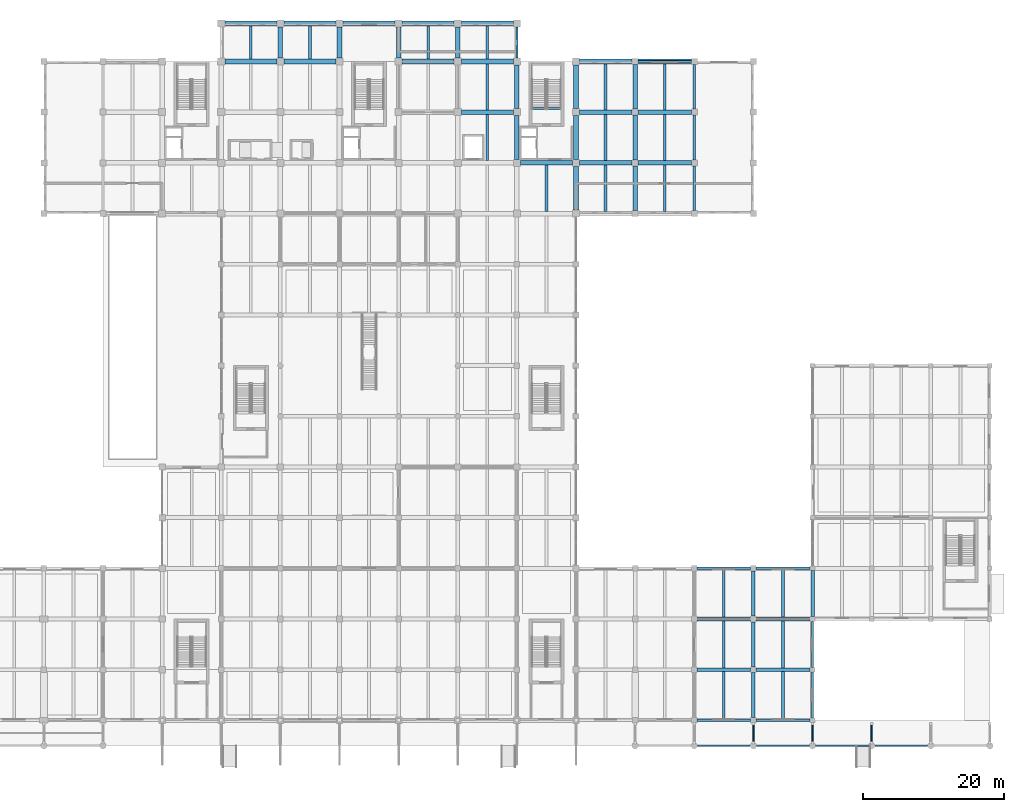
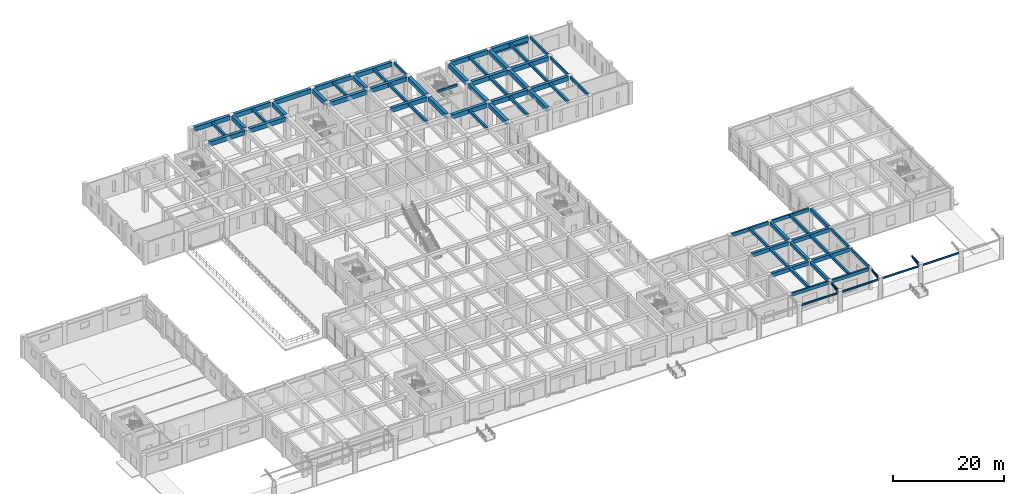
# One storey, part 15 of 49: 75 beams, 3 members.
"""IFC4 building model written with IfcOpenShell, lengths in metres."""

import ifcopenshell
import ifcopenshell.guid

model = None  # the IFC model being written
_history = None  # IfcOwnerHistory: only IFC2X3 demands one
_inside = {}  # id of a spatial element -> (the spatial element, [elements in it])
_under = {}  # id of a project, library or spatial element -> (it, [spatial elements below it])
_declared = {}  # id of a project -> (the project, [libraries it declares])
_typed = {}  # id of a type object -> (the type object, [elements of that type])
_made_of = {}  # id of a material, layer set ... -> (it, [elements and type objects made of it])


def new_model(schema):
    """Start an empty IFC model of exactly this schema.

    Asked for "IFC4X3", IfcOpenShell would pick the latest addendum, in which some entities
    have other attributes; the version numbers below select the first issue.
    IFC2X3 requires an IfcOwnerHistory on every rooted entity: one is made here for all.
    """
    global model, _history
    if schema == "IFC4X3":
        model = ifcopenshell.file(schema_version=(4, 3, 0, 0))
    else:
        model = ifcopenshell.file(schema=schema)
    _inside.clear()
    _under.clear()
    _declared.clear()
    _typed.clear()
    _made_of.clear()
    _history = None
    if model.schema == "IFC2X3":
        org = make("IfcOrganization", Name="unknown")
        user = make(
            "IfcPersonAndOrganization",
            ThePerson=make("IfcPerson", FamilyName="unknown"),
            TheOrganization=org,
        )
        app = make(
            "IfcApplication",
            ApplicationDeveloper=org,
            Version="unknown",
            ApplicationFullName="unknown",
            ApplicationIdentifier="unknown",
        )
        _history = make(
            "IfcOwnerHistory",
            OwningUser=user,
            OwningApplication=app,
            ChangeAction="ADDED",
            CreationDate=0,
        )
    return model


def make(cls, **values):
    """One entity of the class cls with the attributes given. An attribute that is None is left unset."""
    return model.create_entity(
        cls, **{name: value for name, value in values.items() if value is not None}
    )


def rooted(cls, **values):
    """An entity with a GlobalId (a new one), such as an element, a storey or a relation."""
    return make(cls, GlobalId=ifcopenshell.guid.new(), OwnerHistory=_history, **values)


def si_unit(unit_type, name, prefix=None):
    """IfcSIUnit, for example si_unit("LENGTHUNIT", "METRE", prefix="MILLI")."""
    return make("IfcSIUnit", UnitType=unit_type, Prefix=prefix, Name=name)


def assignment(units):
    """IfcUnitAssignment: the units of a project."""
    return None if units is None else make("IfcUnitAssignment", Units=units)


def point(xyz):
    """IfcCartesianPoint."""
    return None if xyz is None else make("IfcCartesianPoint", Coordinates=xyz)


def direction(xyz):
    """IfcDirection."""
    return None if xyz is None else make("IfcDirection", DirectionRatios=xyz)


def frame(location, z_axis=None, x_axis=None):
    """IfcAxis2Placement3D, a coordinate frame: its origin and axes. An axis left out is left unset."""
    return make(
        "IfcAxis2Placement3D",
        Location=point(location),
        Axis=direction(z_axis),
        RefDirection=direction(x_axis),
    )


def frame_2d(location, x_axis=None):
    """IfcAxis2Placement2D, a coordinate frame in the plane: its origin and x axis."""
    return make(
        "IfcAxis2Placement2D", Location=point(location), RefDirection=direction(x_axis)
    )


def origin():
    """The frame at (0, 0, 0) with its axes left unset."""
    return frame((0.0, 0.0, 0.0))


def origin_2d():
    """The frame at (0, 0) in the plane with its x axis left unset."""
    return frame_2d((0.0, 0.0))


def place(relative_to, where):
    """IfcLocalPlacement: puts the frame where relative to a parent placement (None: the world)."""
    return make(
        "IfcLocalPlacement", PlacementRelTo=relative_to, RelativePlacement=where
    )


def context(
    kind, dimensions, precision=None, world=None, true_north=None, identifier=None
):
    """IfcGeometricRepresentationContext, for example the 3D "Model" context."""
    return make(
        "IfcGeometricRepresentationContext",
        ContextIdentifier=identifier,
        ContextType=kind,
        CoordinateSpaceDimension=dimensions,
        Precision=precision,
        WorldCoordinateSystem=world,
        TrueNorth=true_north,
    )


def subcontext(parent, identifier, kind, view, scale=None):
    """IfcGeometricRepresentationSubContext, for example "Body" below "Model"."""
    return make(
        "IfcGeometricRepresentationSubContext",
        ContextIdentifier=identifier,
        ContextType=kind,
        ParentContext=parent,
        TargetScale=scale,
        TargetView=view,
    )


def project(units=None, contexts=None):
    """IfcProject with its units and contexts."""
    return rooted(
        "IfcProject",
        Name="project",
        RepresentationContexts=contexts,
        UnitsInContext=assignment(units),
    )


def spatial(cls, under=None, at=None, **own):
    """A site, building, storey or space (cls), placed at a placement, below another one or the project."""
    s = rooted(cls, ObjectPlacement=at, **own)
    if under is not None:
        _under.setdefault(under.id(), (under, []))[1].append(s)
    return s


def profile(cls, at=None, kind="AREA", **sizes):
    """A parametric profile (cls). Its sizes go by their IFC names, for example OverallWidth=200.0."""
    return make(cls, ProfileType=kind, Position=at, **sizes)


def rectangle(**sizes):
    """IfcRectangleProfileDef."""
    return profile("IfcRectangleProfileDef", **sizes)


def i_section(**sizes):
    """IfcIShapeProfileDef."""
    return profile("IfcIShapeProfileDef", **sizes)


def extrude(swept, where, along, depth):
    """IfcExtrudedAreaSolid: the profile swept, set in the frame where, extruded along a direction by depth."""
    return make(
        "IfcExtrudedAreaSolid",
        SweptArea=swept,
        Position=where,
        ExtrudedDirection=direction(along),
        Depth=depth,
    )


def shape(context_of_items, identifier, shape_type, items):
    """IfcShapeRepresentation: the items that make up one representation, for example the "Body"."""
    return make(
        "IfcShapeRepresentation",
        ContextOfItems=context_of_items,
        RepresentationIdentifier=identifier,
        RepresentationType=shape_type,
        Items=items,
    )


def material(Name=None, Category=None):
    """IfcMaterial."""
    return make("IfcMaterial", Name=Name, Category=Category)


def material_profile(
    of_material, cross_section, Name=None, Category=None, Priority=None
):
    """IfcMaterialProfile: a cross section and its material."""
    return make(
        "IfcMaterialProfile",
        Name=Name,
        Material=of_material,
        Profile=cross_section,
        Priority=Priority,
        Category=Category,
    )


def profile_set(profiles, Name=None, composite=None):
    """IfcMaterialProfileSet."""
    return make(
        "IfcMaterialProfileSet",
        Name=Name,
        MaterialProfiles=profiles,
        CompositeProfile=composite,
    )


def made_of(thing, what):
    """Note that an element or type object is made of a material, layer set ...; save() writes the relation."""
    if what is not None:
        _made_of.setdefault(what.id(), (what, []))[1].append(thing)
    return thing


def type_object(cls, material=None, **own):
    """A type object (cls), such as IfcWallType, which elements share."""
    return made_of(rooted(cls, **own), material)


def element(
    cls,
    number,
    at=None,
    inside=None,
    cuts=None,
    type_object=None,
    material=None,
    context=None,
    identifier="Body",
    shape_type=None,
    held_by="IfcProductDefinitionShape",
    body=None,
    shapes=None,
    **own,
):
    """One element of the class cls, such as IfcWall. Its Tag is "e" and its number.

    at: its placement. inside: the storey or other place that contains it. cuts: it is an
    opening in that element (IfcRelVoidsElement). A single representation is given by context,
    identifier, shape_type and body (its items); several are given by shapes. held_by: the class
    of the entity that holds the representations. save() writes the other relations.
    """
    e = rooted(cls, Tag="e%d" % number, ObjectPlacement=at, **own)
    if body is not None:
        shapes = [shape(context, identifier, shape_type, body)]
    if shapes is not None:
        e.Representation = make(held_by, Representations=shapes)
    if inside is not None:
        _inside.setdefault(inside.id(), (inside, []))[1].append(e)
    if cuts is not None:
        rooted(
            "IfcRelVoidsElement", RelatingBuildingElement=cuts, RelatedOpeningElement=e
        )
    if type_object is not None:
        _typed.setdefault(type_object.id(), (type_object, []))[1].append(e)
    return made_of(e, material)


def aggregate(whole, parts):
    """IfcRelAggregates: a whole, such as a stair, and the parts it consists of."""
    return rooted("IfcRelAggregates", RelatingObject=whole, RelatedObjects=parts)


def save(model, path):
    """Write the relations noted so far, then the file.

    IfcRelAggregates (storeys below a building ...), IfcRelContainedInSpatialStructure (elements
    in a storey), IfcRelDefinesByType, IfcRelAssociatesMaterial and IfcRelDeclares: one each for
    every whole, place, type object, material and project.
    """
    for whole, parts in _under.values():
        aggregate(whole, parts)
    for where, things in _inside.values():
        rooted(
            "IfcRelContainedInSpatialStructure",
            RelatedElements=things,
            RelatingStructure=where,
        )
    for kind, things in _typed.values():
        rooted("IfcRelDefinesByType", RelatedObjects=things, RelatingType=kind)
    for what, things in _made_of.values():
        rooted("IfcRelAssociatesMaterial", RelatedObjects=things, RelatingMaterial=what)
    for by, libraries in _declared.values():
        rooted("IfcRelDeclares", RelatingContext=by, RelatedDefinitions=libraries)
    model.write(path)


model = new_model("IFC4")

# Units and contexts
model_context = context("Model", 3, precision=1e-05, world=origin(), true_north=direction((0.0, 1.0)))
body_context = subcontext(model_context, "Body", "Model", "MODEL_VIEW")
ifc_project = project(units=[si_unit("LENGTHUNIT", "METRE"), si_unit("AREAUNIT", "SQUARE_METRE"), si_unit("VOLUMEUNIT", "CUBIC_METRE"), si_unit("PLANEANGLEUNIT", "RADIAN"), si_unit("MASSUNIT", "GRAM", prefix="KILO")], contexts=[model_context])

# Site, building, storey
site_placement = place(None, origin())
site = spatial("IfcSite", under=ifc_project, at=site_placement, CompositionType="ELEMENT")
building_placement = place(site_placement, origin())
building = spatial("IfcBuilding", under=site, at=building_placement, Name="Kenerak Square Central Library", CompositionType="ELEMENT")
storey_placement = place(building_placement, origin())
storey = spatial("IfcBuildingStorey", under=building, at=storey_placement, Name="L00", CompositionType="ELEMENT", Elevation=0.0)

# Beams
ifc_material_1 = material(Name="Concrete C45/55", Category="concrete")
ifc_material_profile_1 = material_profile(ifc_material_1, rectangle(XDim=0.64990234375, YDim=0.949951171875, at=origin_2d()), Name="RC 650x950")
ifc_profile_set_1 = profile_set([ifc_material_profile_1], Name="Concrete C45/55")
beam_type_1 = type_object("IfcBeamType", Name="Book Stack Girder B-02 RC 650x950 C45/55", PredefinedType="BEAM", material=ifc_profile_set_1)
beam_1_placement = place(storey_placement, frame((109.300048828125, 96.0, 4.324951171875), z_axis=(1.0, 0.0, 0.0), x_axis=(0.0, 1.0, 0.0)))
element("IfcBeam", 1, at=beam_1_placement, inside=storey, type_object=beam_type_1, Name="Beam B-02 L00 0569", PredefinedType="BEAM", context=body_context, shape_type="SweptSolid", body=[
    extrude(rectangle(XDim=0.64990234375, YDim=0.949951171875, at=origin_2d()), origin(), (0.0, 0.0, 1.0), 7.39990234375),
])
beam_2_placement = place(storey_placement, frame((117.699951171875, 96.0, 4.324951171875), z_axis=(1.0, 0.0, 0.0), x_axis=(0.0, 1.0, 0.0)))
element("IfcBeam", 2, at=beam_2_placement, inside=storey, type_object=beam_type_1, Name="Beam B-02 L00 0570", PredefinedType="BEAM", context=body_context, shape_type="SweptSolid", body=[
    extrude(rectangle(XDim=0.64990234375, YDim=0.949951171875, at=origin_2d()), origin(), (0.0, 0.0, 1.0), 7.47509765625),
])
beam_3_placement = place(storey_placement, frame((126.02490234375, 96.0, 4.324951171875), z_axis=(1.0, 0.0, 0.0), x_axis=(0.0, 1.0, 0.0)))
element("IfcBeam", 3, at=beam_3_placement, inside=storey, type_object=beam_type_1, Name="Beam B-02 L00 0571", PredefinedType="BEAM", context=body_context, shape_type="SweptSolid", body=[
    extrude(rectangle(XDim=0.64990234375, YDim=0.949951171875, at=origin_2d()), origin(), (0.0, 0.0, 1.0), 7.550048828125),
])
beam_4_placement = place(storey_placement, frame((100.89990234375, 103.199951171875, 4.324951171875), z_axis=(1.0, 0.0, 0.0), x_axis=(0.0, 1.0, 0.0)))
element("IfcBeam", 4, at=beam_4_placement, inside=storey, type_object=beam_type_1, Name="Beam B-02 L00 0576", PredefinedType="BEAM", context=body_context, shape_type="SweptSolid", body=[
    extrude(rectangle(XDim=0.64990234375, YDim=0.949951171875, at=origin_2d()), origin(), (0.0, 0.0, 1.0), 7.400146484375),
])
beam_5_placement = place(storey_placement, frame((117.699951171875, 103.199951171875, 4.324951171875), z_axis=(1.0, 0.0, 0.0), x_axis=(0.0, 1.0, 0.0)))
element("IfcBeam", 5, at=beam_5_placement, inside=storey, type_object=beam_type_1, Name="Beam B-02 L00 0577", PredefinedType="BEAM", context=body_context, shape_type="SweptSolid", body=[
    extrude(rectangle(XDim=0.64990234375, YDim=0.949951171875, at=origin_2d()), origin(), (0.0, 0.0, 1.0), 7.47509765625),
])
beam_6_placement = place(storey_placement, frame((126.02490234375, 103.199951171875, 4.324951171875), z_axis=(1.0, 0.0, 0.0), x_axis=(0.0, 1.0, 0.0)))
element("IfcBeam", 6, at=beam_6_placement, inside=storey, type_object=beam_type_1, Name="Beam B-02 L00 0578", PredefinedType="BEAM", context=body_context, shape_type="SweptSolid", body=[
    extrude(rectangle(XDim=0.64990234375, YDim=0.949951171875, at=origin_2d()), origin(), (0.0, 0.0, 1.0), 7.550048828125),
])
beam_7_placement = place(storey_placement, frame((67.300048828125, 110.39990234375, 4.324951171875), z_axis=(1.0, 0.0, 0.0), x_axis=(0.0, 1.0, 0.0)))
element("IfcBeam", 7, at=beam_7_placement, inside=storey, type_object=beam_type_1, Name="Beam B-02 L00 0580", PredefinedType="BEAM", context=body_context, shape_type="SweptSolid", body=[
    extrude(rectangle(XDim=0.64990234375, YDim=0.949951171875, at=origin_2d()), origin(), (0.0, 0.0, 1.0), 7.39990234375),
])
beam_8_placement = place(storey_placement, frame((75.699951171875, 110.39990234375, 4.324951171875), z_axis=(1.0, 0.0, 0.0), x_axis=(0.0, 1.0, 0.0)))
element("IfcBeam", 8, at=beam_8_placement, inside=storey, type_object=beam_type_1, Name="Beam B-02 L00 0581", PredefinedType="BEAM", context=body_context, shape_type="SweptSolid", body=[
    extrude(rectangle(XDim=0.64990234375, YDim=0.949951171875, at=origin_2d()), origin(), (0.0, 0.0, 1.0), 7.400146484375),
])
beam_9_placement = place(storey_placement, frame((92.5, 110.39990234375, 4.324951171875), z_axis=(1.0, 0.0, 0.0), x_axis=(0.0, 1.0, 0.0)))
element("IfcBeam", 9, at=beam_9_placement, inside=storey, type_object=beam_type_1, Name="Beam B-02 L00 0582", PredefinedType="BEAM", context=body_context, shape_type="SweptSolid", body=[
    extrude(rectangle(XDim=0.64990234375, YDim=0.949951171875, at=origin_2d()), origin(), (0.0, 0.0, 1.0), 7.39990234375),
])
beam_10_placement = place(storey_placement, frame((100.89990234375, 110.39990234375, 4.324951171875), z_axis=(1.0, 0.0, 0.0), x_axis=(0.0, 1.0, 0.0)))
element("IfcBeam", 10, at=beam_10_placement, inside=storey, type_object=beam_type_1, Name="Beam B-02 L00 0583", PredefinedType="BEAM", context=body_context, shape_type="SweptSolid", body=[
    extrude(rectangle(XDim=0.64990234375, YDim=0.949951171875, at=origin_2d()), origin(), (0.0, 0.0, 1.0), 7.400146484375),
])
beam_11_placement = place(storey_placement, frame((117.699951171875, 110.39990234375, 4.324951171875), z_axis=(1.0, 0.0, 0.0), x_axis=(0.0, 1.0, 0.0)))
element("IfcBeam", 11, at=beam_11_placement, inside=storey, type_object=beam_type_1, Name="Beam B-02 L00 0584", PredefinedType="BEAM", context=body_context, shape_type="SweptSolid", body=[
    extrude(rectangle(XDim=0.64990234375, YDim=0.949951171875, at=origin_2d()), origin(), (0.0, 0.0, 1.0), 7.47509765625),
])
beam_12_placement = place(storey_placement, frame((126.02490234375, 110.39990234375, 4.324951171875), z_axis=(1.0, 0.0, 0.0), x_axis=(0.0, 1.0, 0.0)))
element("IfcBeam", 12, at=beam_12_placement, inside=storey, type_object=beam_type_1, Name="Beam B-02 L00 0585", PredefinedType="BEAM", context=body_context, shape_type="SweptSolid", body=[
    extrude(rectangle(XDim=0.64990234375, YDim=0.949951171875, at=origin_2d()), origin(), (0.0, 0.0, 1.0), 7.550048828125),
])
beam_13_placement = place(storey_placement, frame((67.300048828125, 115.800048828125, 4.324951171875), z_axis=(1.0, 0.0, 0.0), x_axis=(0.0, 1.0, 0.0)))
element("IfcBeam", 13, at=beam_13_placement, inside=storey, type_object=beam_type_1, Name="Beam B-02 L00 0586", PredefinedType="BEAM", context=body_context, shape_type="SweptSolid", body=[
    extrude(rectangle(XDim=0.64990234375, YDim=0.949951171875, at=origin_2d()), origin(), (0.0, 0.0, 1.0), 7.39990234375),
])
beam_14_placement = place(storey_placement, frame((75.699951171875, 115.800048828125, 4.324951171875), z_axis=(1.0, 0.0, 0.0), x_axis=(0.0, 1.0, 0.0)))
element("IfcBeam", 14, at=beam_14_placement, inside=storey, type_object=beam_type_1, Name="Beam B-02 L00 0587", PredefinedType="BEAM", context=body_context, shape_type="SweptSolid", body=[
    extrude(rectangle(XDim=0.64990234375, YDim=0.949951171875, at=origin_2d()), origin(), (0.0, 0.0, 1.0), 7.400146484375),
])
for number, where, z_axis, x_axis, name in (
    (15, (84.10009765625, 115.800048828125, 4.324951171875), (1.0, 0.0, 0.0), (0.0, 1.0, 0.0), "Beam B-02 L00 0588"),
    (16, (92.5, 115.800048828125, 4.324951171875), (1.0, 0.0, 0.0), (0.0, 1.0, 0.0), "Beam B-02 L00 0589"),
):
    element("IfcBeam", number, at=place(storey_placement, frame(where, z_axis=z_axis, x_axis=x_axis)), inside=storey, type_object=beam_type_1, Name=name, PredefinedType="BEAM", context=body_context, shape_type="SweptSolid", body=[
        extrude(rectangle(XDim=0.64990234375, YDim=0.949951171875, at=origin_2d()), origin(), (0.0, 0.0, 1.0), 7.39990234375),
    ])
beam_15_placement = place(storey_placement, frame((100.89990234375, 115.800048828125, 4.324951171875), z_axis=(1.0, 0.0, 0.0), x_axis=(0.0, 1.0, 0.0)))
element("IfcBeam", 17, at=beam_15_placement, inside=storey, type_object=beam_type_1, Name="Beam B-02 L00 0590", PredefinedType="BEAM", context=body_context, shape_type="SweptSolid", body=[
    extrude(rectangle(XDim=0.64990234375, YDim=0.949951171875, at=origin_2d()), origin(), (0.0, 0.0, 1.0), 7.400146484375),
])
for number, where, z_axis, x_axis, name in (
    (18, (75.199951171875, 110.89990234375, 4.324951171875), (0.0, 1.0, 0.0), (-1.0, 0.0, 0.0), "Beam B-02 L00 0648"),
    (19, (83.60009765625, 110.89990234375, 4.324951171875), (0.0, 1.0, 0.0), (-1.0, 0.0, 0.0), "Beam B-02 L00 0661"),
    (20, (92.0, 110.89990234375, 4.324951171875), (0.0, 1.0, 0.0), (-1.0, 0.0, 0.0), "Beam B-02 L00 0674"),
    (21, (100.39990234375, 110.89990234375, 4.324951171875), (0.0, 1.0, 0.0), (-1.0, 0.0, 0.0), "Beam B-02 L00 0688"),
):
    element("IfcBeam", number, at=place(storey_placement, frame(where, z_axis=z_axis, x_axis=x_axis)), inside=storey, type_object=beam_type_1, Name=name, PredefinedType="BEAM", context=body_context, shape_type="SweptSolid", body=[
        extrude(rectangle(XDim=0.64990234375, YDim=0.949951171875, at=origin_2d()), origin(), (0.0, 0.0, 1.0), 4.400146484375),
    ])
for number, where, z_axis, x_axis, name in (
    (22, (108.800048828125, 96.5, 4.324951171875), (0.0, 1.0, 0.0), (-1.0, 0.0, 0.0), "Beam B-02 L00 0700"),
    (23, (108.800048828125, 103.699951171875, 4.324951171875), (0.0, 1.0, 0.0), (-1.0, 0.0, 0.0), "Beam B-02 L00 0701"),
    (24, (117.199951171875, 89.300048828125, 4.324951171875), (0.0, 1.0, 0.0), (-1.0, 0.0, 0.0), "Beam B-02 L00 0713"),
    (25, (117.199951171875, 96.5, 4.324951171875), (0.0, 1.0, 0.0), (-1.0, 0.0, 0.0), "Beam B-02 L00 0714"),
    (26, (117.199951171875, 103.699951171875, 4.324951171875), (0.0, 1.0, 0.0), (-1.0, 0.0, 0.0), "Beam B-02 L00 0715"),
):
    element("IfcBeam", number, at=place(storey_placement, frame(where, z_axis=z_axis, x_axis=x_axis)), inside=storey, type_object=beam_type_1, Name=name, PredefinedType="BEAM", context=body_context, shape_type="SweptSolid", body=[
        extrude(rectangle(XDim=0.64990234375, YDim=0.949951171875, at=origin_2d()), origin(), (0.0, 0.0, 1.0), 6.199951171875),
    ])
for number, where, z_axis, x_axis, name in (
    (27, (125.60009765625, 89.22509765625, 4.324951171875), (0.0, 1.0, 0.0), (-1.0, 0.0, 0.0), "Beam B-02 L00 0718"),
    (28, (125.60009765625, 96.425048828125, 4.324951171875), (0.0, 1.0, 0.0), (-1.0, 0.0, 0.0), "Beam B-02 L00 0719"),
):
    element("IfcBeam", number, at=place(storey_placement, frame(where, z_axis=z_axis, x_axis=x_axis)), inside=storey, type_object=beam_type_1, Name=name, PredefinedType="BEAM", context=body_context, shape_type="SweptSolid", body=[
        extrude(rectangle(XDim=0.64990234375, YDim=0.949951171875, at=origin_2d()), origin(), (0.0, 0.0, 1.0), 6.349853515625),
    ])
beam_16_placement = place(storey_placement, frame((125.60009765625, 103.625, 4.324951171875), z_axis=(0.0, 1.0, 0.0), x_axis=(-1.0, 0.0, 0.0)))
element("IfcBeam", 29, at=beam_16_placement, inside=storey, type_object=beam_type_1, Name="Beam B-02 L00 0720", PredefinedType="BEAM", context=body_context, shape_type="SweptSolid", body=[
    extrude(rectangle(XDim=0.64990234375, YDim=0.949951171875, at=origin_2d()), origin(), (0.0, 0.0, 1.0), 6.35009765625),
])
ifc_material_2 = material(Name="Steel S355", Category="steel")
ifc_material_profile_2 = material_profile(ifc_material_2, i_section(OverallWidth=0.14990234375, OverallDepth=0.300048828125, WebThickness=0.007080078125, FlangeThickness=0.0107421875, FilletRadius=0.014892578125, at=origin_2d()), Name="IPE 300")
ifc_profile_set_2 = profile_set([ifc_material_profile_2], Name="Steel S355")
beam_type_2 = type_object("IfcBeamType", Name="Canopy Steel Joist SJ-02 IPE 300 S355", PredefinedType="JOIST", material=ifc_profile_set_2)
for number, where, z_axis, x_axis, name in (
    (30, (142.39990234375, 13.64990234375, 4.5), (0.0, 1.0, 0.0), (-1.0, 0.0, 0.0), "Colonnade Canopy Tie Joist SJ-02 09"),
    (31, (150.800048828125, 13.64990234375, 4.5), (0.0, 1.0, 0.0), (-1.0, 0.0, 0.0), "Colonnade Canopy Tie Joist SJ-02 10"),
    (32, (159.199951171875, 13.64990234375, 4.5), (0.0, 1.0, 0.0), (-1.0, 0.0, 0.0), "Colonnade Canopy Tie Joist SJ-02 11"),
):
    element("IfcBeam", number, at=place(storey_placement, frame(where, z_axis=z_axis, x_axis=x_axis)), inside=storey, type_object=beam_type_2, Name=name, PredefinedType="JOIST", context=body_context, shape_type="SweptSolid", body=[
        extrude(i_section(OverallWidth=0.14990234375, OverallDepth=0.300048828125, WebThickness=0.007080078125, FlangeThickness=0.0107421875, FilletRadius=0.014892578125, at=origin_2d()), origin(), (0.0, 0.0, 1.0), 2.7001953125),
    ])

# Members
ifc_material_profile_3 = material_profile(ifc_material_2, i_section(OverallWidth=0.300048828125, OverallDepth=0.300048828125, WebThickness=0.010986328125, FlangeThickness=0.01904296875, FilletRadius=0.027099609375, at=origin_2d()), Name="HEB 300")
ifc_profile_set_3 = profile_set([ifc_material_profile_3], Name="Steel S355")
member_type = type_object("IfcMemberType", Name="Canopy Tie Member CT-01 HEB 300 S355", PredefinedType="STRUT", material=ifc_profile_set_3)
for number, where, z_axis, x_axis, name in (
    (33, (142.39990234375, 13.64990234375, 3.89990234375), (0.0, 0.976182906477, 0.216949148655), (-1.0, 0.0, 0.0), "Colonnade Raking Tie CT-01 09"),
    (34, (150.800048828125, 13.64990234375, 3.89990234375), (0.0, 0.976182906477, 0.216949148655), (-1.0, 0.0, 0.0), "Colonnade Raking Tie CT-01 10"),
    (35, (159.199951171875, 13.64990234375, 3.89990234375), (0.0, 0.976182906477, 0.216949148655), (-1.0, 0.0, 0.0), "Colonnade Raking Tie CT-01 11"),
):
    element("IfcMember", number, at=place(storey_placement, frame(where, z_axis=z_axis, x_axis=x_axis)), inside=storey, type_object=member_type, Name=name, PredefinedType="STRUT", context=body_context, shape_type="SweptSolid", body=[
        extrude(i_section(OverallWidth=0.300048828125, OverallDepth=0.300048828125, WebThickness=0.010986328125, FlangeThickness=0.01904296875, FilletRadius=0.027099609375, at=origin_2d()), origin(), (0.0, 0.0, 1.0), 2.76611328125),
    ])

# Beams
ifc_material_profile_4 = material_profile(ifc_material_2, i_section(OverallWidth=0.179931640625, OverallDepth=0.39990234375, WebThickness=0.008544921875, FlangeThickness=0.013427734375, FilletRadius=0.02099609375, at=origin_2d()), Name="IPE 400")
ifc_profile_set_4 = profile_set([ifc_material_profile_4], Name="Steel S355")
beam_type_3 = type_object("IfcBeamType", Name="Colonnade Roof Beam SB-09 IPE 400 S355", PredefinedType="BEAM", material=ifc_profile_set_4)
for number, where, z_axis, x_axis, name in (
    (36, (134.449951171875, 13.199951171875, 4.300048828125), (1.0, 0.0, 0.0), (0.0, 1.0, 0.0), "Colonnade Edge Beam SB-09 E02"),
    (37, (142.85009765625, 13.199951171875, 4.300048828125), (1.0, 0.0, 0.0), (0.0, 1.0, 0.0), "Colonnade Edge Beam SB-09 E03"),
    (38, (151.25, 13.199951171875, 4.300048828125), (1.0, 0.0, 0.0), (0.0, 1.0, 0.0), "Colonnade Edge Beam SB-09 E04"),
    (39, (159.64990234375, 13.199951171875, 4.300048828125), (1.0, 0.0, 0.0), (0.0, 1.0, 0.0), "Colonnade Edge Beam SB-09 E05"),
):
    element("IfcBeam", number, at=place(storey_placement, frame(where, z_axis=z_axis, x_axis=x_axis)), inside=storey, type_object=beam_type_3, Name=name, PredefinedType="BEAM", context=body_context, shape_type="SweptSolid", body=[
        extrude(i_section(OverallWidth=0.179931640625, OverallDepth=0.39990234375, WebThickness=0.008544921875, FlangeThickness=0.013427734375, FilletRadius=0.02099609375, at=origin_2d()), origin(), (0.0, 0.0, 1.0), 7.5),
    ])
ifc_material_3 = material(Name="Concrete C40/50", Category="concrete")
ifc_material_profile_5 = material_profile(ifc_material_3, rectangle(XDim=0.300048828125, YDim=0.60009765625, at=origin_2d()), Name="RC 300x600")
ifc_profile_set_5 = profile_set([ifc_material_profile_5], Name="Concrete C40/50")
beam_type_4 = type_object("IfcBeamType", Name="Courtyard Spandrel Beam SP-02 RC 300x600 C40/50", PredefinedType="SPANDREL", material=ifc_profile_set_5)
beam_17_placement = place(storey_placement, frame((108.800048828125, 110.89990234375, 4.5), z_axis=(0.0, 1.0, 0.0), x_axis=(-1.0, 0.0, 0.0)))
element("IfcBeam", 40, at=beam_17_placement, inside=storey, type_object=beam_type_4, Name="Beam SP-02 L00 0702", PredefinedType="SPANDREL", context=body_context, shape_type="SweptSolid", body=[
    extrude(rectangle(XDim=0.300048828125, YDim=0.60009765625, at=origin_2d()), origin(), (0.0, 0.0, 1.0), 4.400146484375),
])
for number, where, z_axis, x_axis, name in (
    (41, (134.0, 89.22509765625, 4.5), (0.0, 1.0, 0.0), (-1.0, 0.0, 0.0), "Beam SP-02 L00 0724"),
    (42, (134.0, 96.425048828125, 4.5), (0.0, 1.0, 0.0), (-1.0, 0.0, 0.0), "Beam SP-02 L00 0725"),
):
    element("IfcBeam", number, at=place(storey_placement, frame(where, z_axis=z_axis, x_axis=x_axis)), inside=storey, type_object=beam_type_4, Name=name, PredefinedType="SPANDREL", context=body_context, shape_type="SweptSolid", body=[
        extrude(rectangle(XDim=0.300048828125, YDim=0.60009765625, at=origin_2d()), origin(), (0.0, 0.0, 1.0), 6.349853515625),
    ])
beam_18_placement = place(storey_placement, frame((134.0, 103.625, 4.5), z_axis=(0.0, 1.0, 0.0), x_axis=(-1.0, 0.0, 0.0)))
element("IfcBeam", 43, at=beam_18_placement, inside=storey, type_object=beam_type_4, Name="Beam SP-02 L00 0726", PredefinedType="SPANDREL", context=body_context, shape_type="SweptSolid", body=[
    extrude(rectangle(XDim=0.300048828125, YDim=0.60009765625, at=origin_2d()), origin(), (0.0, 0.0, 1.0), 6.35009765625),
])
for number, where, z_axis, x_axis, name in (
    (44, (150.800048828125, 17.125, 4.5), (0.0, 1.0, 0.0), (-1.0, 0.0, 0.0), "Beam SP-02 L00 0730"),
    (45, (150.800048828125, 24.324951171875, 4.5), (0.0, 1.0, 0.0), (-1.0, 0.0, 0.0), "Beam SP-02 L00 0731"),
):
    element("IfcBeam", number, at=place(storey_placement, frame(where, z_axis=z_axis, x_axis=x_axis)), inside=storey, type_object=beam_type_4, Name=name, PredefinedType="SPANDREL", context=body_context, shape_type="SweptSolid", body=[
        extrude(rectangle(XDim=0.300048828125, YDim=0.60009765625, at=origin_2d()), origin(), (0.0, 0.0, 1.0), 6.550048828125),
    ])
ifc_material_profile_6 = material_profile(ifc_material_3, rectangle(XDim=0.35009765625, YDim=0.699951171875, at=origin_2d()), Name="RC 350x700")
ifc_profile_set_6 = profile_set([ifc_material_profile_6], Name="Concrete C40/50")
beam_type_5 = type_object("IfcBeamType", Name="Expressed Spandrel Beam SP-01 RC 350x700 C40/50", PredefinedType="SPANDREL", material=ifc_profile_set_6)
beam_19_placement = place(storey_placement, frame((134.39990234375, 16.800048828125, 4.449951171875), z_axis=(1.0, 0.0, 0.0), x_axis=(0.0, 1.0, 0.0)))
element("IfcBeam", 46, at=beam_19_placement, inside=storey, type_object=beam_type_5, Name="Beam SP-01 L00 0459", PredefinedType="SPANDREL", context=body_context, shape_type="SweptSolid", body=[
    extrude(rectangle(XDim=0.35009765625, YDim=0.699951171875, at=origin_2d()), origin(), (0.0, 0.0, 1.0), 7.60009765625),
])
beam_20_placement = place(storey_placement, frame((142.800048828125, 16.800048828125, 4.449951171875), z_axis=(1.0, 0.0, 0.0), x_axis=(0.0, 1.0, 0.0)))
element("IfcBeam", 47, at=beam_20_placement, inside=storey, type_object=beam_type_5, Name="Beam SP-01 L00 0460", PredefinedType="SPANDREL", context=body_context, shape_type="SweptSolid", body=[
    extrude(rectangle(XDim=0.35009765625, YDim=0.699951171875, at=origin_2d()), origin(), (0.0, 0.0, 1.0), 7.675048828125),
])
beam_21_placement = place(storey_placement, frame((134.39990234375, 38.39990234375, 4.449951171875), z_axis=(1.0, 0.0, 0.0), x_axis=(0.0, 1.0, 0.0)))
element("IfcBeam", 48, at=beam_21_placement, inside=storey, type_object=beam_type_5, Name="Beam SP-01 L00 0503", PredefinedType="SPANDREL", context=body_context, shape_type="SweptSolid", body=[
    extrude(rectangle(XDim=0.35009765625, YDim=0.699951171875, at=origin_2d()), origin(), (0.0, 0.0, 1.0), 7.60009765625),
])
beam_22_placement = place(storey_placement, frame((142.800048828125, 38.39990234375, 4.449951171875), z_axis=(1.0, 0.0, 0.0), x_axis=(0.0, 1.0, 0.0)))
element("IfcBeam", 49, at=beam_22_placement, inside=storey, type_object=beam_type_5, Name="Beam SP-01 L00 0504", PredefinedType="SPANDREL", context=body_context, shape_type="SweptSolid", body=[
    extrude(rectangle(XDim=0.35009765625, YDim=0.699951171875, at=origin_2d()), origin(), (0.0, 0.0, 1.0), 7.675048828125),
])
ifc_material_profile_7 = material_profile(ifc_material_3, rectangle(XDim=0.300048828125, YDim=0.5, at=origin_2d()), Name="RC 300x500")
ifc_profile_set_7 = profile_set([ifc_material_profile_7], Name="Concrete C40/50")
beam_type_6 = type_object("IfcBeamType", Name="Landing Support Beam B-08 RC 300x500 C40/50", PredefinedType="BEAM", material=ifc_profile_set_7)
beam_23_placement = place(storey_placement, frame((110.919921875, 103.7099609375, 4.550048828125), z_axis=(1.0, 0.0, 0.0), x_axis=(0.0, 1.0, 0.0)))
element("IfcBeam", 50, at=beam_23_placement, inside=storey, type_object=beam_type_6, Name="Stair Threshold Beam B-08 ST-03 L01", PredefinedType="BEAM", context=body_context, shape_type="SweptSolid", body=[
    extrude(rectangle(XDim=0.300048828125, YDim=0.5, at=origin_2d()), origin(), (0.0, 0.0, 1.0), 4.16015625),
])
ifc_material_profile_8 = material_profile(ifc_material_3, rectangle(XDim=0.300048828125, YDim=0.449951171875, at=origin_2d()), Name="RC 300x450")
ifc_profile_set_8 = profile_set([ifc_material_profile_8], Name="Concrete C40/50")
beam_type_7 = type_object("IfcBeamType", Name="Opening Lintel Beam LN-01 RC 300x450 C40/50", PredefinedType="LINTEL", material=ifc_profile_set_8)
beam_24_placement = place(storey_placement, frame((126.02490234375, 110.39990234375, 3.550048828125), z_axis=(1.0, 0.0, 0.0), x_axis=(0.0, 1.0, 0.0)))
element("IfcBeam", 51, at=beam_24_placement, inside=storey, type_object=beam_type_7, Name="Portal Lintel Beam 02", PredefinedType="LINTEL", context=body_context, shape_type="SweptSolid", body=[
    extrude(rectangle(XDim=0.300048828125, YDim=0.449951171875, at=origin_2d()), origin(), (0.0, 0.0, 1.0), 7.550048828125),
])
ifc_material_profile_9 = material_profile(ifc_material_3, rectangle(XDim=0.550048828125, YDim=0.800048828125, at=origin_2d()), Name="RC 550x800")
ifc_profile_set_9 = profile_set([ifc_material_profile_9], Name="Concrete C40/50")
beam_type_8 = type_object("IfcBeamType", Name="Primary Reading Beam B-04 RC 550x800 C40/50", PredefinedType="BEAM", material=ifc_profile_set_9)
beam_25_placement = place(storey_placement, frame((134.39990234375, 24.0, 4.39990234375), z_axis=(1.0, 0.0, 0.0), x_axis=(0.0, 1.0, 0.0)))
element("IfcBeam", 52, at=beam_25_placement, inside=storey, type_object=beam_type_8, Name="Beam B-04 L00 0471", PredefinedType="BEAM", context=body_context, shape_type="SweptSolid", body=[
    extrude(rectangle(XDim=0.550048828125, YDim=0.800048828125, at=origin_2d()), origin(), (0.0, 0.0, 1.0), 7.60009765625),
])
beam_26_placement = place(storey_placement, frame((142.800048828125, 24.0, 4.39990234375), z_axis=(1.0, 0.0, 0.0), x_axis=(0.0, 1.0, 0.0)))
element("IfcBeam", 53, at=beam_26_placement, inside=storey, type_object=beam_type_8, Name="Beam B-04 L00 0472", PredefinedType="BEAM", context=body_context, shape_type="SweptSolid", body=[
    extrude(rectangle(XDim=0.550048828125, YDim=0.800048828125, at=origin_2d()), origin(), (0.0, 0.0, 1.0), 7.675048828125),
])
beam_27_placement = place(storey_placement, frame((134.39990234375, 31.199951171875, 4.39990234375), z_axis=(1.0, 0.0, 0.0), x_axis=(0.0, 1.0, 0.0)))
element("IfcBeam", 54, at=beam_27_placement, inside=storey, type_object=beam_type_8, Name="Beam B-04 L00 0486", PredefinedType="BEAM", context=body_context, shape_type="SweptSolid", body=[
    extrude(rectangle(XDim=0.550048828125, YDim=0.800048828125, at=origin_2d()), origin(), (0.0, 0.0, 1.0), 7.60009765625),
])
beam_28_placement = place(storey_placement, frame((142.800048828125, 31.199951171875, 4.39990234375), z_axis=(1.0, 0.0, 0.0), x_axis=(0.0, 1.0, 0.0)))
element("IfcBeam", 55, at=beam_28_placement, inside=storey, type_object=beam_type_8, Name="Beam B-04 L00 0487", PredefinedType="BEAM", context=body_context, shape_type="SweptSolid", body=[
    extrude(rectangle(XDim=0.550048828125, YDim=0.800048828125, at=origin_2d()), origin(), (0.0, 0.0, 1.0), 7.675048828125),
])
ifc_material_profile_10 = material_profile(ifc_material_3, rectangle(XDim=0.39990234375, YDim=0.60009765625, at=origin_2d()), Name="RC 400x600")
ifc_profile_set_10 = profile_set([ifc_material_profile_10], Name="Concrete C40/50")
beam_type_9 = type_object("IfcBeamType", Name="Secondary Floor Joist J-01 RC 400x600 C40/50", PredefinedType="JOIST", material=ifc_profile_set_10)
for number, where, z_axis, x_axis, name in (
    (56, (71.0, 110.72509765625, 4.5), (0.0, 1.0, 0.0), (-1.0, 0.0, 0.0), "Joist J-01 L00 0776"),
    (57, (79.39990234375, 110.72509765625, 4.5), (0.0, 1.0, 0.0), (-1.0, 0.0, 0.0), "Joist J-01 L00 0787"),
    (58, (96.199951171875, 110.72509765625, 4.5), (0.0, 1.0, 0.0), (-1.0, 0.0, 0.0), "Joist J-01 L00 0808"),
):
    element("IfcBeam", number, at=place(storey_placement, frame(where, z_axis=z_axis, x_axis=x_axis)), inside=storey, type_object=beam_type_9, Name=name, PredefinedType="JOIST", context=body_context, shape_type="SweptSolid", body=[
        extrude(rectangle(XDim=0.39990234375, YDim=0.60009765625, at=origin_2d()), origin(), (0.0, 0.0, 1.0), 4.75),
    ])
for number, where, z_axis, x_axis, name in (
    (59, (104.60009765625, 96.324951171875, 4.5), (0.0, 1.0, 0.0), (-1.0, 0.0, 0.0), "Joist J-01 L00 0820"),
    (60, (104.60009765625, 103.52490234375, 4.5), (0.0, 1.0, 0.0), (-1.0, 0.0, 0.0), "Joist J-01 L00 0821"),
):
    element("IfcBeam", number, at=place(storey_placement, frame(where, z_axis=z_axis, x_axis=x_axis)), inside=storey, type_object=beam_type_9, Name=name, PredefinedType="JOIST", context=body_context, shape_type="SweptSolid", body=[
        extrude(rectangle(XDim=0.39990234375, YDim=0.60009765625, at=origin_2d()), origin(), (0.0, 0.0, 1.0), 6.550048828125),
    ])
beam_29_placement = place(storey_placement, frame((104.60009765625, 110.72509765625, 4.5), z_axis=(0.0, 1.0, 0.0), x_axis=(-1.0, 0.0, 0.0)))
element("IfcBeam", 61, at=beam_29_placement, inside=storey, type_object=beam_type_9, Name="Joist J-01 L00 0822", PredefinedType="JOIST", context=body_context, shape_type="SweptSolid", body=[
    extrude(rectangle(XDim=0.39990234375, YDim=0.60009765625, at=origin_2d()), origin(), (0.0, 0.0, 1.0), 4.75),
])
for number, where, z_axis, x_axis, name in (
    (62, (113.0, 89.125, 4.5), (0.0, 1.0, 0.0), (-1.0, 0.0, 0.0), "Joist J-01 L00 0827"),
    (63, (121.39990234375, 89.125, 4.5), (0.0, 1.0, 0.0), (-1.0, 0.0, 0.0), "Joist J-01 L00 0831"),
    (64, (121.39990234375, 96.324951171875, 4.5), (0.0, 1.0, 0.0), (-1.0, 0.0, 0.0), "Joist J-01 L00 0832"),
    (65, (121.39990234375, 103.52490234375, 4.5), (0.0, 1.0, 0.0), (-1.0, 0.0, 0.0), "Joist J-01 L00 0833"),
    (66, (129.800048828125, 89.125, 4.5), (0.0, 1.0, 0.0), (-1.0, 0.0, 0.0), "Joist J-01 L00 0837"),
    (67, (129.800048828125, 96.324951171875, 4.5), (0.0, 1.0, 0.0), (-1.0, 0.0, 0.0), "Joist J-01 L00 0838"),
    (68, (129.800048828125, 103.52490234375, 4.5), (0.0, 1.0, 0.0), (-1.0, 0.0, 0.0), "Joist J-01 L00 0839"),
):
    element("IfcBeam", number, at=place(storey_placement, frame(where, z_axis=z_axis, x_axis=x_axis)), inside=storey, type_object=beam_type_9, Name=name, PredefinedType="JOIST", context=body_context, shape_type="SweptSolid", body=[
        extrude(rectangle(XDim=0.39990234375, YDim=0.60009765625, at=origin_2d()), origin(), (0.0, 0.0, 1.0), 6.550048828125),
    ])
beam_30_placement = place(storey_placement, frame((138.199951171875, 16.97509765625, 4.5), z_axis=(0.0, 1.0, 0.0), x_axis=(-1.0, 0.0, 0.0)))
element("IfcBeam", 69, at=beam_30_placement, inside=storey, type_object=beam_type_9, Name="Joist J-01 L00 0840", PredefinedType="JOIST", context=body_context, shape_type="SweptSolid", body=[
    extrude(rectangle(XDim=0.39990234375, YDim=0.60009765625, at=origin_2d()), origin(), (0.0, 0.0, 1.0), 6.75),
])
beam_31_placement = place(storey_placement, frame((138.199951171875, 24.27490234375, 4.5), z_axis=(0.0, 1.0, 0.0), x_axis=(-1.0, 0.0, 0.0)))
element("IfcBeam", 70, at=beam_31_placement, inside=storey, type_object=beam_type_9, Name="Joist J-01 L00 0841", PredefinedType="JOIST", context=body_context, shape_type="SweptSolid", body=[
    extrude(rectangle(XDim=0.39990234375, YDim=0.60009765625, at=origin_2d()), origin(), (0.0, 0.0, 1.0), 6.650146484375),
])
for number, where, z_axis, x_axis, name in (
    (71, (138.199951171875, 31.47509765625, 4.5), (0.0, 1.0, 0.0), (-1.0, 0.0, 0.0), "Joist J-01 L00 0842"),
    (72, (146.60009765625, 16.97509765625, 4.5), (0.0, 1.0, 0.0), (-1.0, 0.0, 0.0), "Joist J-01 L00 0843"),
):
    element("IfcBeam", number, at=place(storey_placement, frame(where, z_axis=z_axis, x_axis=x_axis)), inside=storey, type_object=beam_type_9, Name=name, PredefinedType="JOIST", context=body_context, shape_type="SweptSolid", body=[
        extrude(rectangle(XDim=0.39990234375, YDim=0.60009765625, at=origin_2d()), origin(), (0.0, 0.0, 1.0), 6.75),
    ])
beam_32_placement = place(storey_placement, frame((146.60009765625, 24.27490234375, 4.5), z_axis=(0.0, 1.0, 0.0), x_axis=(-1.0, 0.0, 0.0)))
element("IfcBeam", 73, at=beam_32_placement, inside=storey, type_object=beam_type_9, Name="Joist J-01 L00 0844", PredefinedType="JOIST", context=body_context, shape_type="SweptSolid", body=[
    extrude(rectangle(XDim=0.39990234375, YDim=0.60009765625, at=origin_2d()), origin(), (0.0, 0.0, 1.0), 6.650146484375),
])
beam_33_placement = place(storey_placement, frame((146.60009765625, 31.47509765625, 4.5), z_axis=(0.0, 1.0, 0.0), x_axis=(-1.0, 0.0, 0.0)))
element("IfcBeam", 74, at=beam_33_placement, inside=storey, type_object=beam_type_9, Name="Joist J-01 L00 0845", PredefinedType="JOIST", context=body_context, shape_type="SweptSolid", body=[
    extrude(rectangle(XDim=0.39990234375, YDim=0.60009765625, at=origin_2d()), origin(), (0.0, 0.0, 1.0), 6.75),
])
ifc_material_profile_11 = material_profile(ifc_material_3, rectangle(XDim=0.5, YDim=0.75, at=origin_2d()), Name="RC 500x750")
ifc_profile_set_11 = profile_set([ifc_material_profile_11], Name="Concrete C40/50")
beam_type_10 = type_object("IfcBeamType", Name="Transverse Frame Beam B-05 RC 500x750 C40/50", PredefinedType="BEAM", material=ifc_profile_set_11)
for number, where, z_axis, x_axis, name in (
    (75, (142.39990234375, 17.199951171875, 4.425048828125), (0.0, 1.0, 0.0), (-1.0, 0.0, 0.0), "Beam B-05 L00 0727"),
    (76, (142.39990234375, 24.39990234375, 4.425048828125), (0.0, 1.0, 0.0), (-1.0, 0.0, 0.0), "Beam B-05 L00 0728"),
):
    element("IfcBeam", number, at=place(storey_placement, frame(where, z_axis=z_axis, x_axis=x_axis)), inside=storey, type_object=beam_type_10, Name=name, PredefinedType="BEAM", context=body_context, shape_type="SweptSolid", body=[
        extrude(rectangle(XDim=0.5, YDim=0.75, at=origin_2d()), origin(), (0.0, 0.0, 1.0), 6.400146484375),
    ])
beam_34_placement = place(storey_placement, frame((142.39990234375, 31.60009765625, 4.425048828125), z_axis=(0.0, 1.0, 0.0), x_axis=(-1.0, 0.0, 0.0)))
element("IfcBeam", 77, at=beam_34_placement, inside=storey, type_object=beam_type_10, Name="Beam B-05 L00 0729", PredefinedType="BEAM", context=body_context, shape_type="SweptSolid", body=[
    extrude(rectangle(XDim=0.5, YDim=0.75, at=origin_2d()), origin(), (0.0, 0.0, 1.0), 6.39990234375),
])
beam_35_placement = place(storey_placement, frame((150.800048828125, 31.52490234375, 4.425048828125), z_axis=(0.0, 1.0, 0.0), x_axis=(-1.0, 0.0, 0.0)))
element("IfcBeam", 78, at=beam_35_placement, inside=storey, type_object=beam_type_10, Name="Beam B-05 L00 0732", PredefinedType="BEAM", context=body_context, shape_type="SweptSolid", body=[
    extrude(rectangle(XDim=0.5, YDim=0.75, at=origin_2d()), origin(), (0.0, 0.0, 1.0), 6.550048828125),
])

save(model, "model.ifc")
